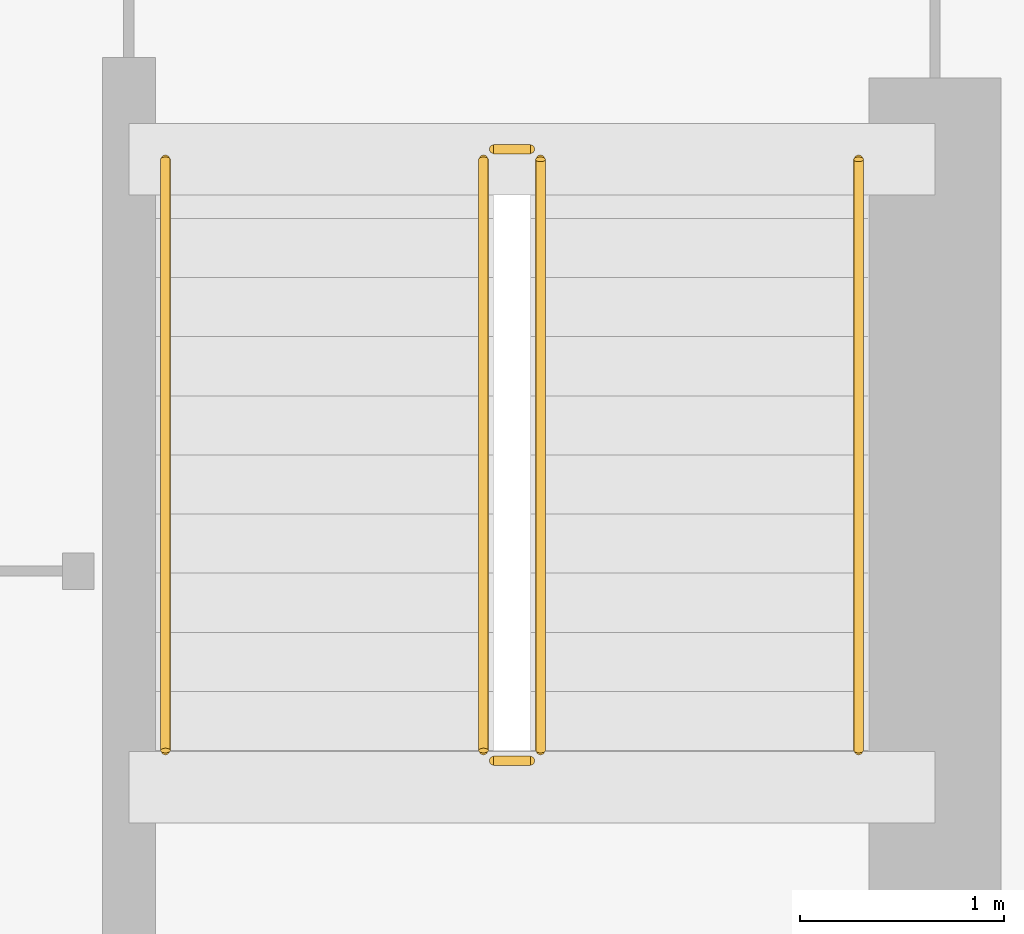
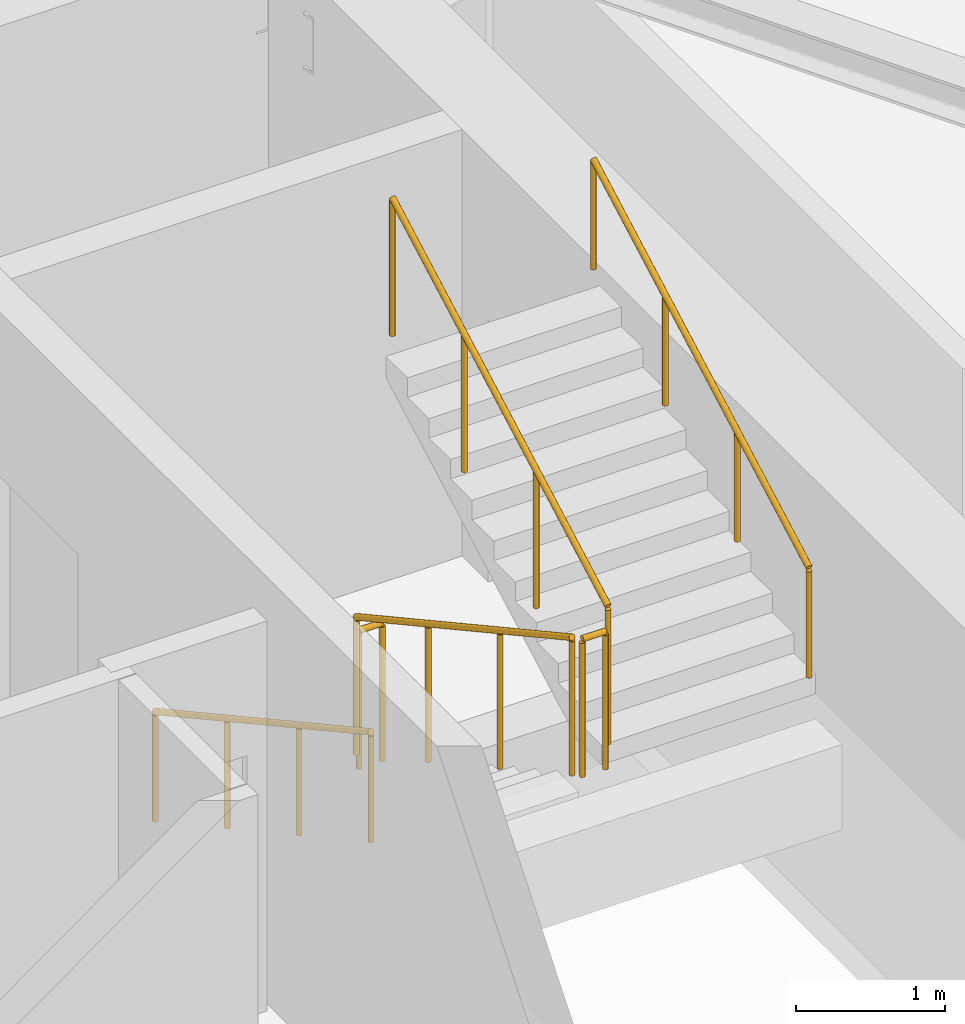
# One storey, part 9 of 9: 6 railings.
"""IFC4 building model written with IfcOpenShell, lengths in metres."""

from ifc_helpers import new_model, si_unit, direction, frame, origin, origin_2d, place, context, subcontext, project, spatial, circle, extrude, material, type_object, element, save


model = new_model("IFC4")

# Units and contexts
model_context = context("Model", 3, precision=1e-05, world=origin(), true_north=direction((0.0, 1.0)))
body_context = subcontext(model_context, "Body", "Model", "MODEL_VIEW")
ifc_project = project(units=[si_unit("LENGTHUNIT", "METRE"), si_unit("AREAUNIT", "SQUARE_METRE"), si_unit("VOLUMEUNIT", "CUBIC_METRE"), si_unit("PLANEANGLEUNIT", "RADIAN"), si_unit("MASSUNIT", "GRAM", prefix="KILO")], contexts=[model_context])

# Site, building, storey
site_placement = place(None, origin())
site = spatial("IfcSite", under=ifc_project, at=site_placement, CompositionType="ELEMENT")
building_placement = place(site_placement, origin())
building = spatial("IfcBuilding", under=site, at=building_placement, Name="Calvemar Wedge Station Tower", CompositionType="ELEMENT")
storey_placement = place(building_placement, frame((0.0, 0.0, 239.39990234375)))
storey = spatial("IfcBuildingStorey", under=building, at=storey_placement, Name="L61", CompositionType="ELEMENT", Elevation=239.39990234375)

# Railings
ifc_material_1 = material(Name="Stainless steel AISI 316L", Category="steel")
railing_type_1 = type_object("IfcRailingType", Name="RL-HANDRAIL-920", PredefinedType="HANDRAIL", material=ifc_material_1)
railing_1_placement = place(storey_placement, frame((27.550048828125, 41.14990234375, 0.1591796875)))
element("IfcRailing", 1, at=railing_1_placement, inside=storey, type_object=railing_type_1, Name="L61 ST-C2 stair handrail 1", PredefinedType="HANDRAIL", context=body_context, shape_type="SweptSolid", body=[
    extrude(circle(Radius=0.02392578125, at=origin_2d()), frame((0.0, 0.0, 0.89599609375), z_axis=(0.0, -0.876742130028, 0.480960744171), x_axis=(1.0, 0.0, 0.0)), (0.0, 0.0, 1.0), 3.3076171875),
    extrude(circle(Radius=0.02099609375, at=origin_2d()), origin(), (0.0, 0.0, 1.0), 0.871826171875),
    extrude(circle(Radius=0.02099609375, at=origin_2d()), frame((0.0, -0.966552734375, 0.5302734375)), (0.0, 0.0, 1.0), 0.871826171875),
    extrude(circle(Radius=0.02099609375, at=origin_2d()), frame((0.0, -1.933349609375, 1.060546875)), (0.0, 0.0, 1.0), 0.871826171875),
    extrude(circle(Radius=0.02099609375, at=origin_2d()), frame((0.0, -2.89990234375, 1.5908203125)), (0.0, 0.0, 1.0), 0.871826171875),
])
railing_2_placement = place(storey_placement, frame((30.949951171875, 38.25, 1.9091796875)))
element("IfcRailing", 2, at=railing_2_placement, inside=storey, type_object=railing_type_1, Name="L61 ST-C2 stair handrail 2", PredefinedType="HANDRAIL", context=body_context, shape_type="SweptSolid", body=[
    extrude(circle(Radius=0.02392578125, at=origin_2d()), frame((0.0, 0.0, 0.89599609375), z_axis=(0.0, 0.876742130028, 0.480960744171), x_axis=(-1.0, 0.0, 0.0)), (0.0, 0.0, 1.0), 3.3076171875),
    extrude(circle(Radius=0.02099609375, at=origin_2d()), origin(), (0.0, 0.0, 1.0), 0.871826171875),
    extrude(circle(Radius=0.02099609375, at=origin_2d()), frame((0.0, 0.966552734375, 0.5302734375)), (0.0, 0.0, 1.0), 0.871826171875),
    extrude(circle(Radius=0.02099609375, at=origin_2d()), frame((0.0, 1.933349609375, 1.060546875)), (0.0, 0.0, 1.0), 0.871826171875),
    extrude(circle(Radius=0.02099609375, at=origin_2d()), frame((0.0, 2.89990234375, 1.5908203125)), (0.0, 0.0, 1.0), 0.871826171875),
])
ifc_material_2 = material(Name="Painted steel guardrail ASTM A500 Grade C", Category="steel")
railing_type_2 = type_object("IfcRailingType", Name="RL-STAIR-GUARD-1150", PredefinedType="GUARDRAIL", material=ifc_material_2)
railing_3_placement = place(storey_placement, frame((29.110107421875, 41.14990234375, 0.1591796875)))
element("IfcRailing", 3, at=railing_3_placement, inside=storey, type_object=railing_type_2, Name="L61 ST-C2 stair guard 1", PredefinedType="GUARDRAIL", context=body_context, shape_type="SweptSolid", body=[
    extrude(circle(Radius=0.02392578125, at=origin_2d()), frame((0.0, 0.0, 1.1259765625), z_axis=(0.0, -0.876742130028, 0.480960744171), x_axis=(1.0, 0.0, 0.0)), (0.0, 0.0, 1.0), 3.3076171875),
    extrude(circle(Radius=0.02099609375, at=origin_2d()), origin(), (0.0, 0.0, 1.0), 1.101806640625),
    extrude(circle(Radius=0.02099609375, at=origin_2d()), frame((0.0, -0.966552734375, 0.5302734375)), (0.0, 0.0, 1.0), 1.101806640625),
    extrude(circle(Radius=0.02099609375, at=origin_2d()), frame((0.0, -1.933349609375, 1.060546875)), (0.0, 0.0, 1.0), 1.101806640625),
    extrude(circle(Radius=0.02099609375, at=origin_2d()), frame((0.0, -2.89990234375, 1.5908203125)), (0.0, 0.0, 1.0), 1.101806640625),
])
railing_4_placement = place(storey_placement, frame((29.159912109375, 38.199951171875, 1.75)))
element("IfcRailing", 4, at=railing_4_placement, inside=storey, type_object=railing_type_2, Name="L61 ST-C2 stair guard 2", PredefinedType="GUARDRAIL", context=body_context, shape_type="SweptSolid", body=[
    extrude(circle(Radius=0.02392578125, at=origin_2d()), frame((0.0, 0.0, 1.1259765625), z_axis=(1.0, 0.0, 0.0), x_axis=(0.0, 1.0, 0.0)), (0.0, 0.0, 1.0), 0.18017578125),
    extrude(circle(Radius=0.02099609375, at=origin_2d()), origin(), (0.0, 0.0, 1.0), 1.101806640625),
    extrude(circle(Radius=0.02099609375, at=origin_2d()), frame((0.18017578125, 0.0, 0.0)), (0.0, 0.0, 1.0), 1.101806640625),
])
railing_5_placement = place(storey_placement, frame((29.389892578125, 38.25, 1.9091796875)))
element("IfcRailing", 5, at=railing_5_placement, inside=storey, type_object=railing_type_2, Name="L61 ST-C2 stair guard 3", PredefinedType="GUARDRAIL", context=body_context, shape_type="SweptSolid", body=[
    extrude(circle(Radius=0.02392578125, at=origin_2d()), frame((0.0, 0.0, 1.1259765625), z_axis=(0.0, 0.876742130028, 0.480960744171), x_axis=(-1.0, 0.0, 0.0)), (0.0, 0.0, 1.0), 3.3076171875),
    extrude(circle(Radius=0.02099609375, at=origin_2d()), origin(), (0.0, 0.0, 1.0), 1.101806640625),
    extrude(circle(Radius=0.02099609375, at=origin_2d()), frame((0.0, 0.966552734375, 0.5302734375)), (0.0, 0.0, 1.0), 1.101806640625),
    extrude(circle(Radius=0.02099609375, at=origin_2d()), frame((0.0, 1.933349609375, 1.060546875)), (0.0, 0.0, 1.0), 1.101806640625),
    extrude(circle(Radius=0.02099609375, at=origin_2d()), frame((0.0, 2.89990234375, 1.5908203125)), (0.0, 0.0, 1.0), 1.101806640625),
])
railing_6_placement = place(storey_placement, frame((29.159912109375, 41.199951171875, 0.0)))
element("IfcRailing", 6, at=railing_6_placement, inside=storey, type_object=railing_type_2, Name="L61 ST-C2 stair guard 4", PredefinedType="GUARDRAIL", context=body_context, shape_type="SweptSolid", body=[
    extrude(circle(Radius=0.02392578125, at=origin_2d()), frame((0.0, 0.0, 1.1259765625), z_axis=(1.0, 0.0, 0.0), x_axis=(0.0, 1.0, 0.0)), (0.0, 0.0, 1.0), 0.18017578125),
    extrude(circle(Radius=0.02099609375, at=origin_2d()), origin(), (0.0, 0.0, 1.0), 1.101806640625),
    extrude(circle(Radius=0.02099609375, at=origin_2d()), frame((0.18017578125, 0.0, 0.0)), (0.0, 0.0, 1.0), 1.101806640625),
])

save(model, "model.ifc")
